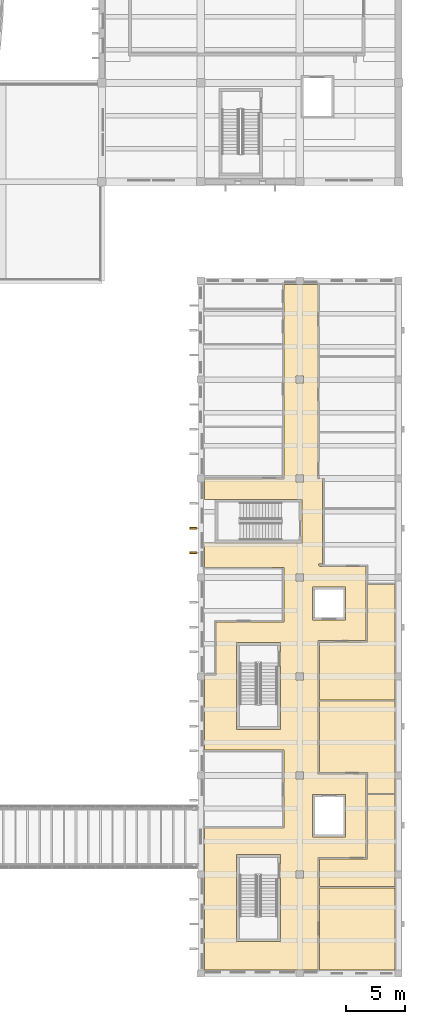
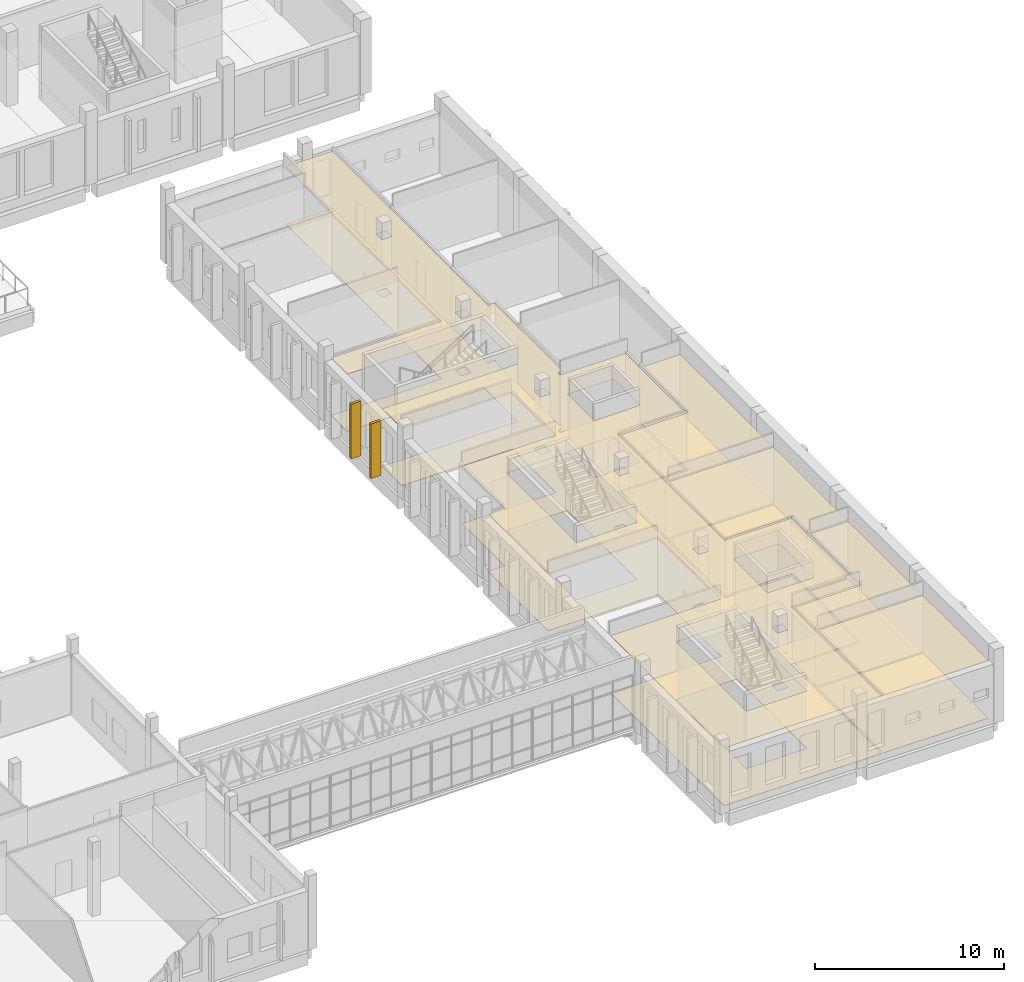
# One storey, part 96 of 119: 12 coverings.
"""IFC4 building model written with IfcOpenShell, lengths in metres."""

from ifc_helpers import new_model, si_unit, direction, frame, origin, place, context, subcontext, project, spatial, polyline, outline, extrude, material, layer, layer_set, type_object, element, save


model = new_model("IFC4")

# Units and contexts
model_context = context("Model", 3, precision=1e-05, world=origin(), true_north=direction((0.0, 1.0)))
body_context = subcontext(model_context, "Body", "Model", "MODEL_VIEW")
ifc_project = project(units=[si_unit("LENGTHUNIT", "METRE"), si_unit("AREAUNIT", "SQUARE_METRE"), si_unit("VOLUMEUNIT", "CUBIC_METRE"), si_unit("PLANEANGLEUNIT", "RADIAN"), si_unit("MASSUNIT", "GRAM", prefix="KILO")], contexts=[model_context])

# Site, building, storey
site_placement = place(None, origin())
site = spatial("IfcSite", under=ifc_project, at=site_placement, CompositionType="ELEMENT")
building_placement = place(site_placement, origin())
building = spatial("IfcBuilding", under=site, at=building_placement, Name="Larchfold Concert Hall", CompositionType="ELEMENT")
storey_placement = place(building_placement, frame((0.0, 0.0, 4.800048828125)))
storey = spatial("IfcBuildingStorey", under=building, at=storey_placement, Name="L01", CompositionType="ELEMENT", Elevation=4.800048828125)

# Coverings
ifc_material_1 = material(Name="Mineral fibre ceiling tile")
ifc_layer_1 = layer(ifc_material_1, 0.02001953125)
ifc_layer_set_1 = layer_set([ifc_layer_1], Name="Mineral fibre ceiling tile")
covering_type_1 = type_object("IfcCoveringType", Name="Ceiling mineral fibre tile 20", PredefinedType="CEILING", material=ifc_layer_set_1)
covering_1_placement = place(storey_placement, frame((0.0, 0.0, 3.719970703125)))
element("IfcCovering", 1, at=covering_1_placement, inside=storey, type_object=covering_type_1, Name="Ceiling Corridor 01", PredefinedType="CEILING", context=body_context, shape_type="SweptSolid", body=[
    extrude(outline(polyline([(85.800048828125, 37.14990234375), (85.800048828125, 37.158935546875), (84.900146484375, 37.159912109375), (84.900146484375, 35.0625), (91.658447265625, 35.060546875), (91.654541015625, 30.4365234375), (85.91357421875, 30.4365234375), (85.9140625, 25.947021484375), (84.920654296875, 25.937744140625), (84.920166015625, 26.000244140625), (84.900146484375, 26.0), (84.900146484375, 19.5625), (91.659423828125, 19.5615234375), (91.66357421875, 12.946533203125), (84.900146484375, 12.9375), (84.900146484375, 0.900146484375), (94.53759765625, 0.900146484375), (94.53857421875, 10.456298828125), (98.636474609375, 10.46337890625), (98.636474609375, 17.53662109375), (98.661376953125, 17.53662109375), (94.536376953125, 17.54638671875), (94.53759765625, 28.8564453125), (98.636474609375, 28.86328125), (98.636474609375, 35.136474609375), (98.661376953125, 35.136474609375), (94.661376953125, 35.146240234375), (94.66162109375, 35.209228515625), (94.59912109375, 35.20947265625), (94.60595703125, 35.35009765625), (94.9365234375, 35.350830078125), (94.9365234375, 42.58642578125), (94.9990234375, 42.58642578125), (94.9990234375, 42.649169921875), (94.66162109375, 42.65771484375), (94.66162109375, 42.596435546875), (94.53662109375, 42.596435546875), (94.53759765625, 59.099853515625), (91.66259765625, 59.099853515625), (91.66162109375, 42.591552734375), (84.920166015625, 42.58642578125), (84.920166015625, 42.649169921875), (84.900146484375, 42.649169921875), (84.900146484375, 40.840087890625), (85.800048828125, 40.840576171875), (85.800048828125, 40.85009765625), (93.199951171875, 40.85009765625), (93.199951171875, 37.14990234375), (85.800048828125, 37.14990234375)]), holes=[polyline([(96.89990234375, 12.199951171875), (94.10009765625, 12.199951171875), (94.10009765625, 15.800048828125), (96.89990234375, 15.800048828125), (96.89990234375, 12.199951171875)]), polyline([(96.89990234375, 30.60009765625), (94.10009765625, 30.60009765625), (94.10009765625, 33.39990234375), (96.89990234375, 33.39990234375), (96.89990234375, 30.60009765625)]), polyline([(93.300048828125, 9.300048828125), (93.300048828125, 8.699951171875), (92.699951171875, 8.699951171875), (92.699951171875, 9.300048828125), (93.300048828125, 9.300048828125)]), polyline([(93.300048828125, 17.099853515625), (92.699951171875, 17.099853515625), (92.699951171875, 17.699951171875), (93.300048828125, 17.699951171875), (93.300048828125, 17.099853515625)]), polyline([(93.300048828125, 26.10009765625), (93.300048828125, 25.5), (92.699951171875, 25.5), (92.699951171875, 26.10009765625), (93.300048828125, 26.10009765625)]), polyline([(93.300048828125, 34.5), (93.300048828125, 33.89990234375), (92.699951171875, 33.89990234375), (92.699951171875, 34.5), (93.300048828125, 34.5)]), polyline([(93.300048828125, 42.900146484375), (93.300048828125, 42.300048828125), (92.699951171875, 42.300048828125), (92.699951171875, 42.900146484375), (93.300048828125, 42.900146484375)]), polyline([(93.300048828125, 51.300048828125), (93.300048828125, 50.699951171875), (92.699951171875, 50.699951171875), (92.699951171875, 51.300048828125), (93.300048828125, 51.300048828125)]), polyline([(91.35009765625, 3.300048828125), (87.64990234375, 3.300048828125), (87.64990234375, 10.699951171875), (91.35009765625, 10.699951171875), (91.35009765625, 3.300048828125)]), polyline([(91.35009765625, 21.303955078125), (87.64990234375, 21.300048828125), (87.64990234375, 28.699951171875), (91.35009765625, 28.699951171875), (91.35009765625, 21.303955078125)])]), origin(), (0.0, 0.0, 1.0), 0.02001953125),
])
ifc_material_2 = material(Name="Plasterboard ceiling lining")
ifc_layer_2 = layer(ifc_material_2, 0.030029296875)
ifc_layer_set_2 = layer_set([ifc_layer_2], Name="Plasterboard ceiling lining")
covering_type_2 = type_object("IfcCoveringType", Name="Ceiling suspended plasterboard 30", PredefinedType="CEILING", material=ifc_layer_set_2)
covering_2_placement = place(storey_placement, frame((0.0, 0.0, 3.7099609375)))
element("IfcCovering", 2, at=covering_2_placement, inside=storey, type_object=covering_type_2, Name="Ceiling Chorus Dressing Room 01", PredefinedType="CEILING", context=body_context, shape_type="SweptSolid", body=[
    extrude(outline(polyline([(94.6650390625, 7.9208984375), (94.66259765625, 0.900146484375), (101.099853515625, 0.900146484375), (101.099853515625, 7.870849609375), (94.6650390625, 7.870849609375), (94.6650390625, 7.9208984375)])), origin(), (0.0, 0.0, 1.0), 0.030029296875),
])
covering_3_placement = place(storey_placement, frame((0.0, 0.0, 3.7099609375)))
element("IfcCovering", 3, at=covering_3_placement, inside=storey, type_object=covering_type_2, Name="Ceiling Chorus Dressing Room 02", PredefinedType="CEILING", context=body_context, shape_type="SweptSolid", body=[
    extrude(outline(polyline([(94.6650390625, 7.9208984375), (94.6650390625, 7.970947265625), (101.099853515625, 7.970947265625), (101.099853515625, 15.7919921875), (98.764892578125, 15.7919921875), (98.761474609375, 15.841552734375), (98.761474609375, 10.33837890625), (94.66357421875, 10.33154296875), (94.6650390625, 7.9208984375)])), origin(), (0.0, 0.0, 1.0), 0.030029296875),
])
covering_4_placement = place(storey_placement, frame((0.0, 0.0, 3.7099609375)))
element("IfcCovering", 4, at=covering_4_placement, inside=storey, type_object=covering_type_2, Name="Ceiling Chorus Dressing Room 03", PredefinedType="CEILING", context=body_context, shape_type="SweptSolid", body=[
    extrude(outline(polyline([(94.661376953125, 17.60009765625), (94.661865234375, 17.67138671875), (98.76171875, 17.661376953125), (98.761474609375, 15.841552734375), (98.764892578125, 15.89208984375), (101.099853515625, 15.89208984375), (101.099853515625, 23.7119140625), (94.6650390625, 23.7119140625), (94.6650390625, 23.762451171875), (94.661376953125, 17.60009765625)])), origin(), (0.0, 0.0, 1.0), 0.030029296875),
])
covering_5_placement = place(storey_placement, frame((0.0, 0.0, 3.7099609375)))
element("IfcCovering", 5, at=covering_5_placement, inside=storey, type_object=covering_type_2, Name="Ceiling Wardrobe Workshop", PredefinedType="CEILING", context=body_context, shape_type="SweptSolid", body=[
    extrude(outline(polyline([(94.60009765625, 28.7314453125), (94.66259765625, 28.7314453125), (94.6650390625, 23.762451171875), (94.6650390625, 23.81201171875), (101.099853515625, 23.81201171875), (101.099853515625, 33.613037109375), (98.764892578125, 33.613037109375), (98.761474609375, 33.663330078125), (98.761474609375, 28.738525390625), (94.60009765625, 28.7314453125)])), origin(), (0.0, 0.0, 1.0), 0.030029296875),
])
ifc_material_3 = material(Name="Linoleum sheet")
ifc_layer_3 = layer(ifc_material_3, 0.02001953125)
ifc_layer_set_3 = layer_set([ifc_layer_3], Name="Linoleum sheet")
covering_type_3 = type_object("IfcCoveringType", Name="Floor finish vinyl 20", PredefinedType="FLOORING", material=ifc_layer_set_3)
covering_6_placement = place(storey_placement, origin())
element("IfcCovering", 6, at=covering_6_placement, inside=storey, type_object=covering_type_3, Name="Floor finish Corridor 01", PredefinedType="FLOORING", context=body_context, shape_type="SweptSolid", body=[
    extrude(outline(polyline([(85.800048828125, 37.14990234375), (85.800048828125, 37.158935546875), (84.900146484375, 37.159912109375), (84.900146484375, 35.0625), (91.658447265625, 35.060546875), (91.654541015625, 30.4365234375), (85.91357421875, 30.4365234375), (85.9140625, 25.947021484375), (84.920654296875, 25.937744140625), (84.920166015625, 26.000244140625), (84.900146484375, 26.0), (84.900146484375, 19.5625), (91.659423828125, 19.5615234375), (91.66357421875, 12.946533203125), (84.900146484375, 12.9375), (84.900146484375, 0.900146484375), (94.53759765625, 0.900146484375), (94.53857421875, 10.456298828125), (98.636474609375, 10.46337890625), (98.636474609375, 17.53662109375), (98.661376953125, 17.53662109375), (94.536376953125, 17.54638671875), (94.53759765625, 28.8564453125), (98.636474609375, 28.86328125), (98.636474609375, 35.136474609375), (98.661376953125, 35.136474609375), (94.661376953125, 35.146240234375), (94.66162109375, 35.209228515625), (94.59912109375, 35.20947265625), (94.60595703125, 35.35009765625), (94.9365234375, 35.350830078125), (94.9365234375, 42.58642578125), (94.9990234375, 42.58642578125), (94.9990234375, 42.649169921875), (94.66162109375, 42.65771484375), (94.66162109375, 42.596435546875), (94.53662109375, 42.596435546875), (94.53759765625, 59.099853515625), (91.66259765625, 59.099853515625), (91.66162109375, 42.591552734375), (84.920166015625, 42.58642578125), (84.920166015625, 42.649169921875), (84.900146484375, 42.649169921875), (84.900146484375, 40.840087890625), (85.800048828125, 40.840576171875), (85.800048828125, 40.85009765625), (93.199951171875, 40.85009765625), (93.199951171875, 37.14990234375), (85.800048828125, 37.14990234375)]), holes=[polyline([(96.89990234375, 12.199951171875), (94.10009765625, 12.199951171875), (94.10009765625, 15.800048828125), (96.89990234375, 15.800048828125), (96.89990234375, 12.199951171875)]), polyline([(96.89990234375, 30.60009765625), (94.10009765625, 30.60009765625), (94.10009765625, 33.39990234375), (96.89990234375, 33.39990234375), (96.89990234375, 30.60009765625)]), polyline([(93.300048828125, 9.300048828125), (93.300048828125, 8.699951171875), (92.699951171875, 8.699951171875), (92.699951171875, 9.300048828125), (93.300048828125, 9.300048828125)]), polyline([(93.300048828125, 17.099853515625), (92.699951171875, 17.099853515625), (92.699951171875, 17.699951171875), (93.300048828125, 17.699951171875), (93.300048828125, 17.099853515625)]), polyline([(93.300048828125, 26.10009765625), (93.300048828125, 25.5), (92.699951171875, 25.5), (92.699951171875, 26.10009765625), (93.300048828125, 26.10009765625)]), polyline([(93.300048828125, 34.5), (93.300048828125, 33.89990234375), (92.699951171875, 33.89990234375), (92.699951171875, 34.5), (93.300048828125, 34.5)]), polyline([(93.300048828125, 42.900146484375), (93.300048828125, 42.300048828125), (92.699951171875, 42.300048828125), (92.699951171875, 42.900146484375), (93.300048828125, 42.900146484375)]), polyline([(93.300048828125, 51.300048828125), (93.300048828125, 50.699951171875), (92.699951171875, 50.699951171875), (92.699951171875, 51.300048828125), (93.300048828125, 51.300048828125)]), polyline([(91.35009765625, 3.300048828125), (87.64990234375, 3.300048828125), (87.64990234375, 10.699951171875), (91.35009765625, 10.699951171875), (91.35009765625, 3.300048828125)]), polyline([(91.35009765625, 21.303955078125), (87.64990234375, 21.300048828125), (87.64990234375, 28.699951171875), (91.35009765625, 28.699951171875), (91.35009765625, 21.303955078125)])]), origin(), (0.0, 0.0, 1.0), 0.02001953125),
])
covering_7_placement = place(storey_placement, origin())
element("IfcCovering", 7, at=covering_7_placement, inside=storey, type_object=covering_type_3, Name="Floor finish Chorus Dressing Room 01", PredefinedType="FLOORING", context=body_context, shape_type="SweptSolid", body=[
    extrude(outline(polyline([(94.6650390625, 7.9208984375), (94.66259765625, 0.900146484375), (101.099853515625, 0.900146484375), (101.099853515625, 7.870849609375), (94.6650390625, 7.870849609375), (94.6650390625, 7.9208984375)])), origin(), (0.0, 0.0, 1.0), 0.02001953125),
])
covering_8_placement = place(storey_placement, origin())
element("IfcCovering", 8, at=covering_8_placement, inside=storey, type_object=covering_type_3, Name="Floor finish Chorus Dressing Room 02", PredefinedType="FLOORING", context=body_context, shape_type="SweptSolid", body=[
    extrude(outline(polyline([(94.6650390625, 7.9208984375), (94.6650390625, 7.970947265625), (101.099853515625, 7.970947265625), (101.099853515625, 15.7919921875), (98.764892578125, 15.7919921875), (98.761474609375, 15.841552734375), (98.761474609375, 10.33837890625), (94.66357421875, 10.33154296875), (94.6650390625, 7.9208984375)])), origin(), (0.0, 0.0, 1.0), 0.02001953125),
])
covering_9_placement = place(storey_placement, origin())
element("IfcCovering", 9, at=covering_9_placement, inside=storey, type_object=covering_type_3, Name="Floor finish Chorus Dressing Room 03", PredefinedType="FLOORING", context=body_context, shape_type="SweptSolid", body=[
    extrude(outline(polyline([(94.661376953125, 17.60009765625), (94.661865234375, 17.67138671875), (98.76171875, 17.661376953125), (98.761474609375, 15.841552734375), (98.764892578125, 15.89208984375), (101.099853515625, 15.89208984375), (101.099853515625, 23.7119140625), (94.6650390625, 23.7119140625), (94.6650390625, 23.762451171875), (94.661376953125, 17.60009765625)])), origin(), (0.0, 0.0, 1.0), 0.02001953125),
])
covering_10_placement = place(storey_placement, origin())
element("IfcCovering", 10, at=covering_10_placement, inside=storey, type_object=covering_type_3, Name="Floor finish Wardrobe Workshop", PredefinedType="FLOORING", context=body_context, shape_type="SweptSolid", body=[
    extrude(outline(polyline([(94.60009765625, 28.7314453125), (94.66259765625, 28.7314453125), (94.6650390625, 23.762451171875), (94.6650390625, 23.81201171875), (101.099853515625, 23.81201171875), (101.099853515625, 33.613037109375), (98.764892578125, 33.613037109375), (98.761474609375, 33.663330078125), (98.761474609375, 28.738525390625), (94.60009765625, 28.7314453125)])), origin(), (0.0, 0.0, 1.0), 0.02001953125),
])
ifc_material_4 = material(Name="Glulam GL30c", Category="wood")
ifc_layer_4 = layer(ifc_material_4, 0.159912109375)
ifc_layer_set_4 = layer_set([ifc_layer_4], Name="Glulam GL30c")
covering_type_4 = type_object("IfcCoveringType", Name="Glulam fin 160x600", PredefinedType="CLADDING", material=ifc_layer_set_4)
covering_11_placement = place(storey_placement, frame((0.0, 0.0, 0.199951171875)))
element("IfcCovering", 11, at=covering_11_placement, inside=storey, type_object=covering_type_4, Name="Glulam fin FN-L01-057", PredefinedType="CLADDING", context=body_context, shape_type="SweptSolid", body=[
    extrude(outline(polyline([(84.275146484375, 36.219970703125), (84.275146484375, 36.3798828125), (83.675048828125, 36.3798828125), (83.675048828125, 36.219970703125), (84.275146484375, 36.219970703125)])), origin(), (0.0, 0.0, 1.0), 3.5400390625),
])
covering_12_placement = place(storey_placement, frame((0.0, 0.0, 0.199951171875)))
element("IfcCovering", 12, at=covering_12_placement, inside=storey, type_object=covering_type_4, Name="Glulam fin FN-L01-058", PredefinedType="CLADDING", context=body_context, shape_type="SweptSolid", body=[
    extrude(outline(polyline([(84.275146484375, 38.320068359375), (84.275146484375, 38.47998046875), (83.675048828125, 38.47998046875), (83.675048828125, 38.320068359375), (84.275146484375, 38.320068359375)])), origin(), (0.0, 0.0, 1.0), 3.5400390625),
])

save(model, "model.ifc")
